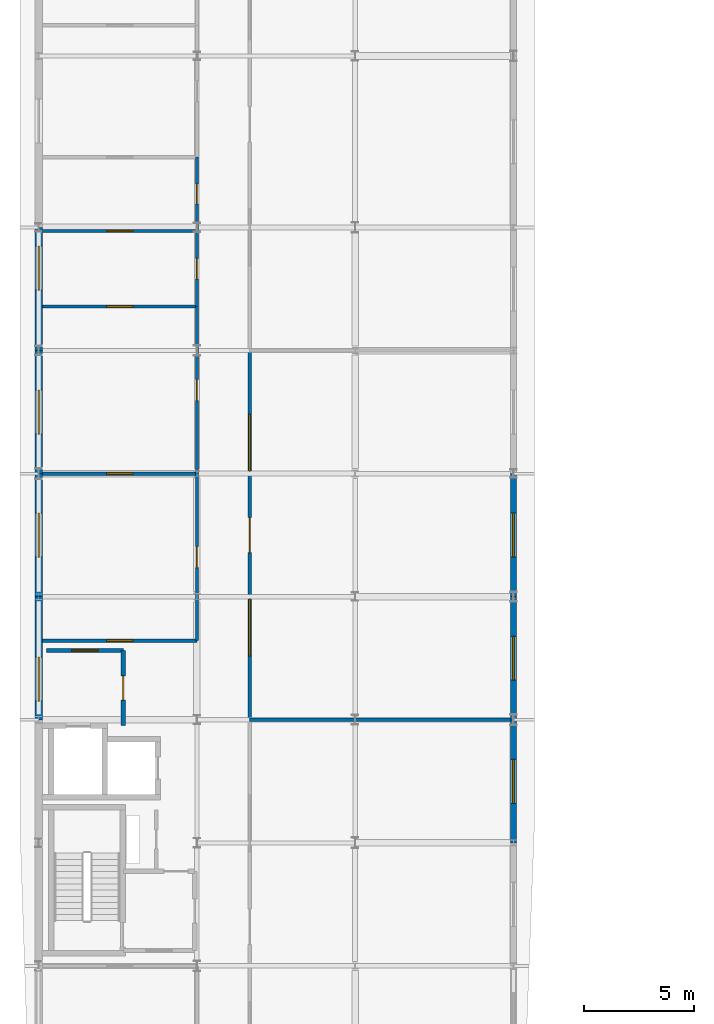
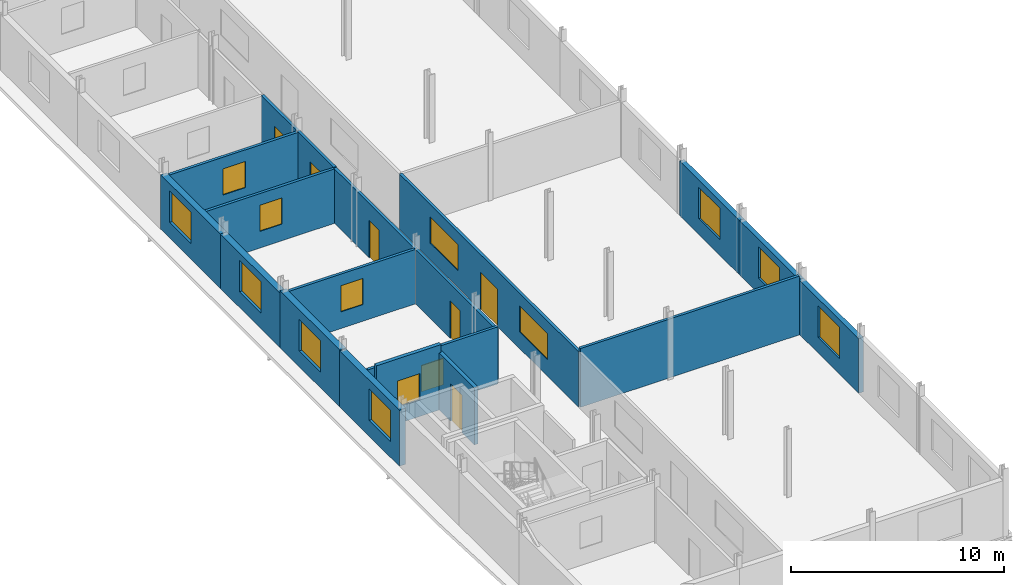
# One storey, part 12 of 17: 19 walls, 14 windows, 6 doors, 20 openings.
"""IFC4 building model written with IfcOpenShell, lengths in metres."""

from ifc_helpers import new_model, si_unit, direction, frame, frame_2d, origin, place, context, subcontext, project, spatial, rectangle, extrude, material, layer, layer_set, type_object, element, fill, save


model = new_model("IFC4")

# Units and contexts
model_context = context("Model", 3, precision=1e-05, world=origin(), true_north=direction((0.0, 1.0)))
body_context = subcontext(model_context, "Body", "Model", "MODEL_VIEW")
ifc_project = project(units=[si_unit("LENGTHUNIT", "METRE"), si_unit("AREAUNIT", "SQUARE_METRE"), si_unit("VOLUMEUNIT", "CUBIC_METRE"), si_unit("PLANEANGLEUNIT", "RADIAN"), si_unit("MASSUNIT", "GRAM", prefix="KILO")], contexts=[model_context])

# Site, building, storey
site_placement = place(None, origin())
site = spatial("IfcSite", under=ifc_project, at=site_placement, CompositionType="ELEMENT")
building_placement = place(site_placement, origin())
building = spatial("IfcBuilding", under=site, at=building_placement, Name="Vinh Khe Railworks Police Headquarters", CompositionType="ELEMENT")
storey_placement = place(building_placement, frame((0.0, 0.0, 24.89990234375)))
storey = spatial("IfcBuildingStorey", under=building, at=storey_placement, Name="L06", CompositionType="ELEMENT", Elevation=24.89990234375)

# Wall, opening, window
ifc_material_1 = material(Name="Clay brickwork", Category="masonry")
ifc_layer_1 = layer(ifc_material_1, 0.260009765625)
ifc_layer_set_1 = layer_set([ifc_layer_1], Name="Clay brickwork")
wall_type_1 = type_object("IfcWallType", Name="EW-BRK-260", PredefinedType="SOLIDWALL", material=ifc_layer_set_1)
wall_1_placement = place(storey_placement, frame((22.199951171875, 30.800048828125, 0.0), z_axis=(0.0, 0.0, 1.0), x_axis=(0.0, 1.0, 0.0)))
wall_1 = element("IfcWall", 1, at=wall_1_placement, inside=storey, type_object=wall_type_1, Name="Exterior Brick Wall EW-L06-V5E-03", PredefinedType="SOLIDWALL", context=body_context, shape_type="SweptSolid", body=[
    extrude(rectangle(XDim=5.599853515625, YDim=0.260009765625, at=frame_2d((2.7998046875, 0.0))), origin(), (0.0, 0.0, 1.0), 3.114990234375),
])
opening_1_placement = place(wall_1_placement, frame((1.800048828125, 0.0, 0.89990234375)))
opening_1 = element("IfcOpeningElement", 2, at=opening_1_placement, cuts=wall_1, Name="Opening WN-04", PredefinedType="OPENING", context=body_context, shape_type="SweptSolid", body=[
    extrude(rectangle(XDim=2.0, YDim=1.800048828125, at=frame_2d((1.0, 0.89990234375))), frame((0.0, 0.14501953125, 0.0), z_axis=(0.0, -1.0, 0.0), x_axis=(1.0, 0.0, 0.0)), (0.0, 0.0, 1.0), 0.289794921875),
])
ifc_material_2 = material(Name="Double-glazed solar-control glass in dark steel frame", Category="steel")
window_type_1 = type_object("IfcWindowType", Name="WIN-WN-04", PartitioningType="DOUBLE_PANEL_VERTICAL", PredefinedType="WINDOW", material=ifc_material_2)
window_1_placement = place(opening_1_placement, origin())
window_1 = element("IfcWindow", 3, at=window_1_placement, inside=storey, type_object=window_type_1, Name="Casement Window WN-04", OverallHeight=1.800048828125, OverallWidth=2.0, PartitioningType="SINGLE_PANEL", PredefinedType="WINDOW", context=body_context, shape_type="SweptSolid", body=[
    extrude(rectangle(XDim=2.0, YDim=1.800048828125, at=frame_2d((1.0, 0.89990234375))), frame((0.0, 0.030029296875, 0.0), z_axis=(0.0, -1.0, 0.0), x_axis=(1.0, 0.0, 0.0)), (0.0, 0.0, 1.0), 0.06005859375),
])
fill(opening_1, window_1)

wall_2_placement = place(storey_placement, frame((22.199951171875, 36.39990234375, 0.0), z_axis=(0.0, 0.0, 1.0), x_axis=(0.0, 1.0, 0.0)))
wall_2 = element("IfcWall", 4, at=wall_2_placement, inside=storey, type_object=wall_type_1, Name="Exterior Brick Wall EW-L06-V5E-04", PredefinedType="SOLIDWALL", context=body_context, shape_type="SweptSolid", body=[
    extrude(rectangle(XDim=5.60009765625, YDim=0.260009765625, at=frame_2d((2.800048828125, 0.0))), origin(), (0.0, 0.0, 1.0), 3.114990234375),
])
opening_2_placement = place(wall_2_placement, frame((1.800048828125, 0.0, 0.89990234375)))
opening_2 = element("IfcOpeningElement", 5, at=opening_2_placement, cuts=wall_2, Name="Opening WN-04", PredefinedType="OPENING", context=body_context, shape_type="SweptSolid", body=[
    extrude(rectangle(XDim=2.0, YDim=1.800048828125, at=frame_2d((1.0, 0.89990234375))), frame((0.0, 0.14501953125, 0.0), z_axis=(0.0, -1.0, 0.0), x_axis=(1.0, 0.0, 0.0)), (0.0, 0.0, 1.0), 0.289794921875),
])
window_2_placement = place(opening_2_placement, origin())
window_2 = element("IfcWindow", 6, at=window_2_placement, inside=storey, type_object=window_type_1, Name="Casement Window WN-04", OverallHeight=1.800048828125, OverallWidth=2.0, PartitioningType="SINGLE_PANEL", PredefinedType="WINDOW", context=body_context, shape_type="SweptSolid", body=[
    extrude(rectangle(XDim=2.0, YDim=1.800048828125, at=frame_2d((1.0, 0.89990234375))), frame((0.0, 0.030029296875, 0.0), z_axis=(0.0, -1.0, 0.0), x_axis=(1.0, 0.0, 0.0)), (0.0, 0.0, 1.0), 0.06005859375),
])
fill(opening_2, window_2)

wall_3_placement = place(storey_placement, frame((22.199951171875, 42.0, 0.0), z_axis=(0.0, 0.0, 1.0), x_axis=(0.0, 1.0, 0.0)))
wall_3 = element("IfcWall", 7, at=wall_3_placement, inside=storey, type_object=wall_type_1, Name="Exterior Brick Wall EW-L06-V5E-05", PredefinedType="SOLIDWALL", context=body_context, shape_type="SweptSolid", body=[
    extrude(rectangle(XDim=5.60009765625, YDim=0.260009765625, at=frame_2d((2.800048828125, 0.0))), origin(), (0.0, 0.0, 1.0), 3.114990234375),
])
opening_3_placement = place(wall_3_placement, frame((1.800048828125, 0.0, 0.89990234375)))
opening_3 = element("IfcOpeningElement", 8, at=opening_3_placement, cuts=wall_3, Name="Opening WN-04", PredefinedType="OPENING", context=body_context, shape_type="SweptSolid", body=[
    extrude(rectangle(XDim=2.0, YDim=1.800048828125, at=frame_2d((1.0, 0.89990234375))), frame((0.0, 0.14501953125, 0.0), z_axis=(0.0, -1.0, 0.0), x_axis=(1.0, 0.0, 0.0)), (0.0, 0.0, 1.0), 0.289794921875),
])
window_3_placement = place(opening_3_placement, origin())
window_3 = element("IfcWindow", 9, at=window_3_placement, inside=storey, type_object=window_type_1, Name="Casement Window WN-04", OverallHeight=1.800048828125, OverallWidth=2.0, PartitioningType="SINGLE_PANEL", PredefinedType="WINDOW", context=body_context, shape_type="SweptSolid", body=[
    extrude(rectangle(XDim=2.0, YDim=1.800048828125, at=frame_2d((1.0, 0.89990234375))), frame((0.0, 0.030029296875, 0.0), z_axis=(0.0, -1.0, 0.0), x_axis=(1.0, 0.0, 0.0)), (0.0, 0.0, 1.0), 0.06005859375),
])
fill(opening_3, window_3)

ifc_layer_2 = layer(ifc_material_1, 0.340087890625)
ifc_layer_set_2 = layer_set([ifc_layer_2], Name="Clay brickwork")
wall_type_2 = type_object("IfcWallType", Name="EW-BRK-340", PredefinedType="SOLIDWALL", material=ifc_layer_set_2)
wall_4_placement = place(storey_placement, frame((0.60009765625, 36.39990234375, 0.0), z_axis=(0.0, 0.0, 1.0), x_axis=(0.0, 1.0, 0.0)))
wall_4 = element("IfcWall", 10, at=wall_4_placement, inside=storey, type_object=wall_type_2, Name="Exterior Brick Wall EW-L06-V5W-04", PredefinedType="SOLIDWALL", context=body_context, shape_type="SweptSolid", body=[
    extrude(rectangle(XDim=5.60009765625, YDim=0.340087890625, at=frame_2d((2.800048828125, 0.0))), origin(), (0.0, 0.0, 1.0), 3.215087890625),
])
opening_4_placement = place(wall_4_placement, frame((0.85009765625, 0.0, 0.89990234375)))
opening_4 = element("IfcOpeningElement", 11, at=opening_4_placement, cuts=wall_4, Name="Opening WN-04", PredefinedType="OPENING", context=body_context, shape_type="SweptSolid", body=[
    extrude(rectangle(XDim=2.0, YDim=1.800048828125, at=frame_2d((1.0, 0.89990234375))), frame((0.0, 0.18505859375, 0.0), z_axis=(0.0, -1.0, 0.0), x_axis=(1.0, 0.0, 0.0)), (0.0, 0.0, 1.0), 0.369873046875),
])
window_4_placement = place(opening_4_placement, origin())
window_4 = element("IfcWindow", 12, at=window_4_placement, inside=storey, type_object=window_type_1, Name="Casement Window WN-04", OverallHeight=1.800048828125, OverallWidth=2.0, PartitioningType="SINGLE_PANEL", PredefinedType="WINDOW", context=body_context, shape_type="SweptSolid", body=[
    extrude(rectangle(XDim=2.0, YDim=1.800048828125, at=frame_2d((1.0, 0.89990234375))), frame((0.0, 0.030029296875, 0.0), z_axis=(0.0, -1.0, 0.0), x_axis=(1.0, 0.0, 0.0)), (0.0, 0.0, 1.0), 0.06005859375),
])
fill(opening_4, window_4)

wall_5_placement = place(storey_placement, frame((0.60009765625, 42.0, 0.0), z_axis=(0.0, 0.0, 1.0), x_axis=(0.0, 1.0, 0.0)))
wall_5 = element("IfcWall", 13, at=wall_5_placement, inside=storey, type_object=wall_type_2, Name="Exterior Brick Wall EW-L06-V5W-05", PredefinedType="SOLIDWALL", context=body_context, shape_type="SweptSolid", body=[
    extrude(rectangle(XDim=5.60009765625, YDim=0.340087890625, at=frame_2d((2.800048828125, 0.0))), origin(), (0.0, 0.0, 1.0), 3.26513671875),
])
opening_5_placement = place(wall_5_placement, frame((1.800048828125, 0.0, 0.89990234375)))
opening_5 = element("IfcOpeningElement", 14, at=opening_5_placement, cuts=wall_5, Name="Opening WN-04", PredefinedType="OPENING", context=body_context, shape_type="SweptSolid", body=[
    extrude(rectangle(XDim=2.0, YDim=1.800048828125, at=frame_2d((1.0, 0.89990234375))), frame((0.0, 0.18505859375, 0.0), z_axis=(0.0, -1.0, 0.0), x_axis=(1.0, 0.0, 0.0)), (0.0, 0.0, 1.0), 0.369873046875),
])
window_5_placement = place(opening_5_placement, origin())
window_5 = element("IfcWindow", 15, at=window_5_placement, inside=storey, type_object=window_type_1, Name="Casement Window WN-04", OverallHeight=1.800048828125, OverallWidth=2.0, PartitioningType="SINGLE_PANEL", PredefinedType="WINDOW", context=body_context, shape_type="SweptSolid", body=[
    extrude(rectangle(XDim=2.0, YDim=1.800048828125, at=frame_2d((1.0, 0.89990234375))), frame((0.0, 0.030029296875, 0.0), z_axis=(0.0, -1.0, 0.0), x_axis=(1.0, 0.0, 0.0)), (0.0, 0.0, 1.0), 0.06005859375),
])
fill(opening_5, window_5)

wall_6_placement = place(storey_placement, frame((0.60009765625, 47.60009765625, 0.0), z_axis=(0.0, 0.0, 1.0), x_axis=(0.0, 1.0, 0.0)))
wall_6 = element("IfcWall", 16, at=wall_6_placement, inside=storey, type_object=wall_type_2, Name="Exterior Brick Wall EW-L06-V5W-06", PredefinedType="SOLIDWALL", context=body_context, shape_type="SweptSolid", body=[
    extrude(rectangle(XDim=5.599853515625, YDim=0.340087890625, at=frame_2d((2.7998046875, 0.0))), origin(), (0.0, 0.0, 1.0), 3.114990234375),
])
opening_6_placement = place(wall_6_placement, frame((1.800048828125, 0.0, 0.89990234375)))
opening_6 = element("IfcOpeningElement", 17, at=opening_6_placement, cuts=wall_6, Name="Opening WN-04", PredefinedType="OPENING", context=body_context, shape_type="SweptSolid", body=[
    extrude(rectangle(XDim=2.0, YDim=1.800048828125, at=frame_2d((1.0, 0.89990234375))), frame((0.0, 0.18505859375, 0.0), z_axis=(0.0, -1.0, 0.0), x_axis=(1.0, 0.0, 0.0)), (0.0, 0.0, 1.0), 0.369873046875),
])
window_6_placement = place(opening_6_placement, origin())
window_6 = element("IfcWindow", 18, at=window_6_placement, inside=storey, type_object=window_type_1, Name="Casement Window WN-04", OverallHeight=1.800048828125, OverallWidth=2.0, PartitioningType="SINGLE_PANEL", PredefinedType="WINDOW", context=body_context, shape_type="SweptSolid", body=[
    extrude(rectangle(XDim=2.0, YDim=1.800048828125, at=frame_2d((1.0, 0.89990234375))), frame((0.0, 0.030029296875, 0.0), z_axis=(0.0, -1.0, 0.0), x_axis=(1.0, 0.0, 0.0)), (0.0, 0.0, 1.0), 0.06005859375),
])
fill(opening_6, window_6)

wall_7_placement = place(storey_placement, frame((0.60009765625, 53.199951171875, 0.0), z_axis=(0.0, 0.0, 1.0), x_axis=(0.0, 1.0, 0.0)))
wall_7 = element("IfcWall", 19, at=wall_7_placement, inside=storey, type_object=wall_type_2, Name="Exterior Brick Wall EW-L06-V5W-07", PredefinedType="SOLIDWALL", context=body_context, shape_type="SweptSolid", body=[
    extrude(rectangle(XDim=5.60009765625, YDim=0.340087890625, at=frame_2d((2.800048828125, 0.0))), origin(), (0.0, 0.0, 1.0), 3.114990234375),
])
opening_7_placement = place(wall_7_placement, frame((2.75, 0.0, 0.89990234375)))
opening_7 = element("IfcOpeningElement", 20, at=opening_7_placement, cuts=wall_7, Name="Opening WN-04", PredefinedType="OPENING", context=body_context, shape_type="SweptSolid", body=[
    extrude(rectangle(XDim=2.0, YDim=1.800048828125, at=frame_2d((1.0, 0.89990234375))), frame((0.0, 0.18505859375, 0.0), z_axis=(0.0, -1.0, 0.0), x_axis=(1.0, 0.0, 0.0)), (0.0, 0.0, 1.0), 0.369873046875),
])
window_7_placement = place(opening_7_placement, origin())
window_7 = element("IfcWindow", 21, at=window_7_placement, inside=storey, type_object=window_type_1, Name="Casement Window WN-04", OverallHeight=1.800048828125, OverallWidth=2.0, PartitioningType="SINGLE_PANEL", PredefinedType="WINDOW", context=body_context, shape_type="SweptSolid", body=[
    extrude(rectangle(XDim=2.0, YDim=1.800048828125, at=frame_2d((1.0, 0.89990234375))), frame((0.0, 0.030029296875, 0.0), z_axis=(0.0, -1.0, 0.0), x_axis=(1.0, 0.0, 0.0)), (0.0, 0.0, 1.0), 0.06005859375),
])
fill(opening_7, window_7)

ifc_material_3 = material(Name="Autoclaved aerated concrete blockwork", Category="masonry")
ifc_layer_3 = layer(ifc_material_3, 0.199951171875)
ifc_layer_set_3 = layer_set([ifc_layer_3], Name="Autoclaved aerated concrete blockwork")
wall_type_3 = type_object("IfcWallType", Name="IW-BLK-200", PredefinedType="PARTITIONING", material=ifc_layer_set_3)
wall_8_placement = place(storey_placement, frame((0.949951171875, 39.550048828125, 0.0), z_axis=(0.0, 0.0, 1.0), x_axis=(1.0, 0.0, 0.0)))
wall_8 = element("IfcWall", 22, at=wall_8_placement, inside=storey, type_object=wall_type_3, Name="Interior Partition W-FFL-C1-N-L06", PredefinedType="PARTITIONING", context=body_context, shape_type="SweptSolid", body=[
    extrude(rectangle(XDim=3.5, YDim=0.199951171875, at=frame_2d((1.75, 0.0))), origin(), (0.0, 0.0, 1.0), 3.715087890625),
])
opening_8_placement = place(wall_8_placement, frame((1.14990234375, 0.0, 0.949951171875)))
opening_8 = element("IfcOpeningElement", 23, at=opening_8_placement, cuts=wall_8, Name="Opening WN-10", PredefinedType="OPENING", context=body_context, shape_type="SweptSolid", body=[
    extrude(rectangle(XDim=1.199951171875, YDim=1.5, at=frame_2d((0.60009765625, 0.75))), frame((0.0, 0.11474609375, 0.0), z_axis=(0.0, -1.0, 0.0), x_axis=(1.0, 0.0, 0.0)), (0.0, 0.0, 1.0), 0.229736328125),
])
window_type_2 = type_object("IfcWindowType", Name="WIN-WN-10", PartitioningType="SINGLE_PANEL", PredefinedType="WINDOW", material=ifc_material_2)
window_8_placement = place(opening_8_placement, origin())
window_8 = element("IfcWindow", 24, at=window_8_placement, inside=storey, type_object=window_type_2, Name="Interior Acoustic Vision Window WN-10", OverallHeight=1.5, OverallWidth=1.199951171875, PartitioningType="SINGLE_PANEL", PredefinedType="WINDOW", context=body_context, shape_type="SweptSolid", body=[
    extrude(rectangle(XDim=1.199951171875, YDim=1.5, at=frame_2d((0.60009765625, 0.75))), frame((0.0, 0.030029296875, 0.0), z_axis=(0.0, -1.0, 0.0), x_axis=(1.0, 0.0, 0.0)), (0.0, 0.0, 1.0), 0.06005859375),
])
fill(opening_8, window_8)

# Wall, opening, door
wall_9_placement = place(storey_placement, frame((4.449951171875, 36.14990234375, 0.0), z_axis=(0.0, 0.0, 1.0), x_axis=(0.0, 1.0, 0.0)))
wall_9 = element("IfcWall", 25, at=wall_9_placement, inside=storey, type_object=wall_type_3, Name="Interior Partition W-FFL-C1-E-L06", PredefinedType="PARTITIONING", context=body_context, shape_type="SweptSolid", body=[
    extrude(rectangle(XDim=3.400146484375, YDim=0.199951171875, at=frame_2d((1.7001953125, 0.0))), origin(), (0.0, 0.0, 1.0), 3.26513671875),
])
opening_9_placement = place(wall_9_placement, frame((1.14990234375, 0.0, 0.0)))
opening_9 = element("IfcOpeningElement", 26, at=opening_9_placement, cuts=wall_9, Name="Opening FD-01", PredefinedType="OPENING", context=body_context, shape_type="SweptSolid", body=[
    extrude(rectangle(XDim=1.10009765625, YDim=2.14990234375, at=frame_2d((0.550048828125, 1.074951171875))), frame((0.0, 0.11474609375, 0.0), z_axis=(0.0, -1.0, 0.0), x_axis=(1.0, 0.0, 0.0)), (0.0, 0.0, 1.0), 0.229736328125),
])
ifc_material_4 = material(Name="Painted galvanised steel", Category="steel")
door_type_1 = type_object("IfcDoorType", Name="FD-1100x2150", OperationType="NOTDEFINED", PredefinedType="DOOR", material=ifc_material_4)
door_1_placement = place(opening_9_placement, origin())
door_1 = element("IfcDoor", 27, at=door_1_placement, inside=storey, type_object=door_type_1, Name="Firefighting Lobby Exit Door", OperationType="SINGLE_SWING_RIGHT", OverallHeight=2.14990234375, OverallWidth=1.10009765625, PredefinedType="DOOR", context=body_context, shape_type="SweptSolid", body=[
    extrude(rectangle(XDim=1.10009765625, YDim=2.14990234375, at=frame_2d((0.550048828125, 1.074951171875))), frame((0.0, 0.02490234375, 0.0), z_axis=(0.0, -1.0, 0.0), x_axis=(1.0, 0.0, 0.0)), (0.0, 0.0, 1.0), 0.050048828125),
])
fill(opening_9, door_1)

# Wall, opening, window
ifc_material_5 = material(Name="Gypsum plasterboard on steel stud", Category="steel")
ifc_layer_4 = layer(ifc_material_5, 0.1201171875)
ifc_layer_set_4 = layer_set([ifc_layer_4], Name="Gypsum plasterboard on steel stud")
wall_type_4 = type_object("IfcWallType", Name="IW-PART-120", PredefinedType="PARTITIONING", material=ifc_layer_set_4)
wall_10_placement = place(storey_placement, frame((0.780029296875, 40.0, 0.0), z_axis=(0.0, 0.0, 1.0), x_axis=(1.0, 0.0, 0.0)))
wall_10 = element("IfcWall", 28, at=wall_10_placement, inside=storey, type_object=wall_type_4, Name="Interior Partition W-L06-V5-BUNK1-DIV", PredefinedType="PARTITIONING", context=body_context, shape_type="SweptSolid", body=[
    extrude(rectangle(XDim=7.02001953125, YDim=0.14990234375, at=frame_2d((3.510009765625, 0.0))), origin(), (0.0, 0.0, 1.0), 3.26513671875),
])
opening_10_placement = place(wall_10_placement, frame((2.909912109375, 0.0, 0.949951171875)))
opening_10 = element("IfcOpeningElement", 29, at=opening_10_placement, cuts=wall_10, Name="Opening WN-10", PredefinedType="OPENING", context=body_context, shape_type="SweptSolid", body=[
    extrude(rectangle(XDim=1.199951171875, YDim=1.5, at=frame_2d((0.60009765625, 0.75))), frame((0.0, 0.08984375, 0.0), z_axis=(0.0, -1.0, 0.0), x_axis=(1.0, 0.0, 0.0)), (0.0, 0.0, 1.0), 0.1796875),
])
window_9_placement = place(opening_10_placement, origin())
window_9 = element("IfcWindow", 30, at=window_9_placement, inside=storey, type_object=window_type_2, Name="Interior Acoustic Vision Window WN-10", OverallHeight=1.5, OverallWidth=1.199951171875, PartitioningType="SINGLE_PANEL", PredefinedType="WINDOW", context=body_context, shape_type="SweptSolid", body=[
    extrude(rectangle(XDim=1.199951171875, YDim=1.5, at=frame_2d((0.60009765625, 0.75))), frame((0.0, 0.030029296875, 0.0), z_axis=(0.0, -1.0, 0.0), x_axis=(1.0, 0.0, 0.0)), (0.0, 0.0, 1.0), 0.06005859375),
])
fill(opening_10, window_9)

wall_11_placement = place(storey_placement, frame((0.780029296875, 47.60009765625, 0.0), z_axis=(0.0, 0.0, 1.0), x_axis=(1.0, 0.0, 0.0)))
wall_11 = element("IfcWall", 31, at=wall_11_placement, inside=storey, type_object=wall_type_4, Name="Interior Partition W-L06-V5-BUNK2-DIV", PredefinedType="PARTITIONING", context=body_context, shape_type="SweptSolid", body=[
    extrude(rectangle(XDim=7.02001953125, YDim=0.14990234375, at=frame_2d((3.510009765625, 0.0))), origin(), (0.0, 0.0, 1.0), 3.114990234375),
])
opening_11_placement = place(wall_11_placement, frame((2.909912109375, 0.0, 0.949951171875)))
opening_11 = element("IfcOpeningElement", 32, at=opening_11_placement, cuts=wall_11, Name="Opening WN-10", PredefinedType="OPENING", context=body_context, shape_type="SweptSolid", body=[
    extrude(rectangle(XDim=1.199951171875, YDim=1.5, at=frame_2d((0.60009765625, 0.75))), frame((0.0, 0.08984375, 0.0), z_axis=(0.0, -1.0, 0.0), x_axis=(1.0, 0.0, 0.0)), (0.0, 0.0, 1.0), 0.1796875),
])
window_10_placement = place(opening_11_placement, origin())
window_10 = element("IfcWindow", 33, at=window_10_placement, inside=storey, type_object=window_type_2, Name="Interior Acoustic Vision Window WN-10", OverallHeight=1.5, OverallWidth=1.199951171875, PartitioningType="SINGLE_PANEL", PredefinedType="WINDOW", context=body_context, shape_type="SweptSolid", body=[
    extrude(rectangle(XDim=1.199951171875, YDim=1.5, at=frame_2d((0.60009765625, 0.75))), frame((0.0, 0.030029296875, 0.0), z_axis=(0.0, -1.0, 0.0), x_axis=(1.0, 0.0, 0.0)), (0.0, 0.0, 1.0), 0.06005859375),
])
fill(opening_11, window_10)

wall_12_placement = place(storey_placement, frame((0.780029296875, 58.64208984375, 0.0), z_axis=(0.0, 0.0, 1.0), x_axis=(1.0, 0.0, 0.0)))
wall_12 = element("IfcWall", 34, at=wall_12_placement, inside=storey, type_object=wall_type_4, Name="Interior Partition W-L06-V5-DSHWS-DIV", PredefinedType="PARTITIONING", context=body_context, shape_type="SweptSolid", body=[
    extrude(rectangle(XDim=7.02001953125, YDim=0.14990234375, at=frame_2d((3.510009765625, 0.0))), origin(), (0.0, 0.0, 1.0), 3.114990234375),
])
opening_12_placement = place(wall_12_placement, frame((2.909912109375, 0.0, 0.949951171875)))
opening_12 = element("IfcOpeningElement", 35, at=opening_12_placement, cuts=wall_12, Name="Opening WN-10", PredefinedType="OPENING", context=body_context, shape_type="SweptSolid", body=[
    extrude(rectangle(XDim=1.199951171875, YDim=1.5, at=frame_2d((0.60009765625, 0.75))), frame((0.0, 0.08984375, 0.0), z_axis=(0.0, -1.0, 0.0), x_axis=(1.0, 0.0, 0.0)), (0.0, 0.0, 1.0), 0.1796875),
])
window_11_placement = place(opening_12_placement, origin())
window_11 = element("IfcWindow", 36, at=window_11_placement, inside=storey, type_object=window_type_2, Name="Interior Acoustic Vision Window WN-10", OverallHeight=1.5, OverallWidth=1.199951171875, PartitioningType="SINGLE_PANEL", PredefinedType="WINDOW", context=body_context, shape_type="SweptSolid", body=[
    extrude(rectangle(XDim=1.199951171875, YDim=1.5, at=frame_2d((0.60009765625, 0.75))), frame((0.0, 0.030029296875, 0.0), z_axis=(0.0, -1.0, 0.0), x_axis=(1.0, 0.0, 0.0)), (0.0, 0.0, 1.0), 0.06005859375),
])
fill(opening_12, window_11)

wall_13_placement = place(storey_placement, frame((0.780029296875, 55.199951171875, 0.0), z_axis=(0.0, 0.0, 1.0), x_axis=(1.0, 0.0, 0.0)))
wall_13 = element("IfcWall", 37, at=wall_13_placement, inside=storey, type_object=wall_type_4, Name="Interior Partition W-L06-V5-DSHW-DIV", PredefinedType="PARTITIONING", context=body_context, shape_type="SweptSolid", body=[
    extrude(rectangle(XDim=7.02001953125, YDim=0.14990234375, at=frame_2d((3.510009765625, 0.0))), origin(), (0.0, 0.0, 1.0), 3.114990234375),
])
opening_13_placement = place(wall_13_placement, frame((2.909912109375, 0.0, 0.949951171875)))
opening_13 = element("IfcOpeningElement", 38, at=opening_13_placement, cuts=wall_13, Name="Opening WN-10", PredefinedType="OPENING", context=body_context, shape_type="SweptSolid", body=[
    extrude(rectangle(XDim=1.199951171875, YDim=1.5, at=frame_2d((0.60009765625, 0.75))), frame((0.0, 0.08984375, 0.0), z_axis=(0.0, -1.0, 0.0), x_axis=(1.0, 0.0, 0.0)), (0.0, 0.0, 1.0), 0.1796875),
])
window_12_placement = place(opening_13_placement, origin())
window_12 = element("IfcWindow", 39, at=window_12_placement, inside=storey, type_object=window_type_2, Name="Interior Acoustic Vision Window WN-10", OverallHeight=1.5, OverallWidth=1.199951171875, PartitioningType="SINGLE_PANEL", PredefinedType="WINDOW", context=body_context, shape_type="SweptSolid", body=[
    extrude(rectangle(XDim=1.199951171875, YDim=1.5, at=frame_2d((0.60009765625, 0.75))), frame((0.0, 0.030029296875, 0.0), z_axis=(0.0, -1.0, 0.0), x_axis=(1.0, 0.0, 0.0)), (0.0, 0.0, 1.0), 0.06005859375),
])
fill(opening_13, window_12)

# Wall
wall_14_placement = place(storey_placement, frame((10.199951171875, 36.39990234375, 0.0), z_axis=(0.0, 0.0, 1.0), x_axis=(1.0, 0.0, 0.0)))
element("IfcWall", 40, at=wall_14_placement, inside=storey, type_object=wall_type_4, Name="Interior Partition W-L06-V5-NARC2-DIV", PredefinedType="PARTITIONING", context=body_context, shape_type="SweptSolid", body=[
    extrude(rectangle(XDim=11.860107421875, YDim=0.14990234375, at=frame_2d((5.93017578125, 0.0))), origin(), (0.0, 0.0, 1.0), 3.364990234375),
])

# Wall, opening, door
ifc_material_6 = material(Name="Gypsum plasterboard on acoustic steel stud", Category="steel")
ifc_layer_5 = layer(ifc_material_6, 0.14990234375)
ifc_layer_set_5 = layer_set([ifc_layer_5], Name="Gypsum plasterboard on acoustic steel stud")
wall_type_5 = type_object("IfcWallType", Name="IW-PART-150", PredefinedType="PARTITIONING", material=ifc_layer_set_5)
wall_15_placement = place(storey_placement, frame((7.800048828125, 40.0, 0.0), z_axis=(0.0, 0.0, 1.0), x_axis=(0.0, 1.0, 0.0)))
wall_15 = element("IfcWall", 41, at=wall_15_placement, inside=storey, type_object=wall_type_5, Name="Interior Partition W-L06-V5-BUNK1-CW", PredefinedType="PARTITIONING", context=body_context, shape_type="SweptSolid", body=[
    extrude(rectangle(XDim=7.60009765625, YDim=0.14990234375, at=frame_2d((3.800048828125, 0.0))), origin(), (0.0, 0.0, 1.0), 3.114990234375),
])
opening_14_placement = place(wall_15_placement, frame((3.324951171875, 0.0, 0.0)))
opening_14 = element("IfcOpeningElement", 42, at=opening_14_placement, cuts=wall_15, Name="Opening D-01", PredefinedType="OPENING", context=body_context, shape_type="SweptSolid", body=[
    extrude(rectangle(XDim=0.949951171875, YDim=2.14990234375, at=frame_2d((0.47509765625, 1.074951171875))), frame((0.0, 0.08984375, 0.0), z_axis=(0.0, -1.0, 0.0), x_axis=(1.0, 0.0, 0.0)), (0.0, 0.0, 1.0), 0.1796875),
])
ifc_material_7 = material(Name="Seasoned hardwood timber", Category="wood")
door_type_2 = type_object("IfcDoorType", Name="ID-950x2150", OperationType="NOTDEFINED", PredefinedType="DOOR", material=ifc_material_7)
door_2_placement = place(opening_14_placement, origin())
door_2 = element("IfcDoor", 43, at=door_2_placement, inside=storey, type_object=door_type_2, Name="On-Call Duty Bunk Room 01 Door", OperationType="SINGLE_SWING_RIGHT", OverallHeight=2.14990234375, OverallWidth=0.949951171875, PredefinedType="DOOR", context=body_context, shape_type="SweptSolid", body=[
    extrude(rectangle(XDim=0.949951171875, YDim=2.14990234375, at=frame_2d((0.47509765625, 1.074951171875))), frame((0.0, 0.02490234375, 0.0), z_axis=(0.0, -1.0, 0.0), x_axis=(1.0, 0.0, 0.0)), (0.0, 0.0, 1.0), 0.050048828125),
])
fill(opening_14, door_2)

wall_16_placement = place(storey_placement, frame((7.800048828125, 47.60009765625, 0.0), z_axis=(0.0, 0.0, 1.0), x_axis=(0.0, 1.0, 0.0)))
wall_16 = element("IfcWall", 44, at=wall_16_placement, inside=storey, type_object=wall_type_5, Name="Interior Partition W-L06-V5-BUNK2-CW", PredefinedType="PARTITIONING", context=body_context, shape_type="SweptSolid", body=[
    extrude(rectangle(XDim=7.599853515625, YDim=0.14990234375, at=frame_2d((3.7998046875, 0.0))), origin(), (0.0, 0.0, 1.0), 3.114990234375),
])
opening_15_placement = place(wall_16_placement, frame((3.324951171875, 0.0, 0.0)))
opening_15 = element("IfcOpeningElement", 45, at=opening_15_placement, cuts=wall_16, Name="Opening D-01", PredefinedType="OPENING", context=body_context, shape_type="SweptSolid", body=[
    extrude(rectangle(XDim=0.949951171875, YDim=2.14990234375, at=frame_2d((0.47509765625, 1.074951171875))), frame((0.0, 0.08984375, 0.0), z_axis=(0.0, -1.0, 0.0), x_axis=(1.0, 0.0, 0.0)), (0.0, 0.0, 1.0), 0.1796875),
])
door_3_placement = place(opening_15_placement, origin())
door_3 = element("IfcDoor", 46, at=door_3_placement, inside=storey, type_object=door_type_2, Name="On-Call Duty Bunk Room 02 Door", OperationType="SINGLE_SWING_LEFT", OverallHeight=2.14990234375, OverallWidth=0.949951171875, PredefinedType="DOOR", context=body_context, shape_type="SweptSolid", body=[
    extrude(rectangle(XDim=0.949951171875, YDim=2.14990234375, at=frame_2d((0.47509765625, 1.074951171875))), frame((0.0, 0.02490234375, 0.0), z_axis=(0.0, -1.0, 0.0), x_axis=(1.0, 0.0, 0.0)), (0.0, 0.0, 1.0), 0.050048828125),
])
fill(opening_15, door_3)

wall_17_placement = place(storey_placement, frame((7.800048828125, 55.199951171875, 0.0), z_axis=(0.0, 0.0, 1.0), x_axis=(0.0, 1.0, 0.0)))
wall_17 = element("IfcWall", 47, at=wall_17_placement, inside=storey, type_object=wall_type_5, Name="Interior Partition W-L06-V5-DSHWS-CW", PredefinedType="PARTITIONING", context=body_context, shape_type="SweptSolid", body=[
    extrude(rectangle(XDim=3.442138671875, YDim=0.14990234375, at=frame_2d((1.72119140625, 0.0))), origin(), (0.0, 0.0, 1.0), 3.1650390625),
])
opening_16_placement = place(wall_17_placement, frame((1.24609375, 0.0, 0.0)))
opening_16 = element("IfcOpeningElement", 48, at=opening_16_placement, cuts=wall_17, Name="Opening D-01", PredefinedType="OPENING", context=body_context, shape_type="SweptSolid", body=[
    extrude(rectangle(XDim=0.949951171875, YDim=2.14990234375, at=frame_2d((0.47509765625, 1.074951171875))), frame((0.0, 0.08984375, 0.0), z_axis=(0.0, -1.0, 0.0), x_axis=(1.0, 0.0, 0.0)), (0.0, 0.0, 1.0), 0.1796875),
])
door_4_placement = place(opening_16_placement, origin())
door_4 = element("IfcDoor", 49, at=door_4_placement, inside=storey, type_object=door_type_2, Name="Floor Supplies Store Door", OperationType="SINGLE_SWING_RIGHT", OverallHeight=2.14990234375, OverallWidth=0.949951171875, PredefinedType="DOOR", context=body_context, shape_type="SweptSolid", body=[
    extrude(rectangle(XDim=0.949951171875, YDim=2.14990234375, at=frame_2d((0.47509765625, 1.074951171875))), frame((0.0, 0.02490234375, 0.0), z_axis=(0.0, -1.0, 0.0), x_axis=(1.0, 0.0, 0.0)), (0.0, 0.0, 1.0), 0.050048828125),
])
fill(opening_16, door_4)

wall_18_placement = place(storey_placement, frame((7.800048828125, 58.64208984375, 0.0), z_axis=(0.0, 0.0, 1.0), x_axis=(0.0, 1.0, 0.0)))
wall_18 = element("IfcWall", 50, at=wall_18_placement, inside=storey, type_object=wall_type_5, Name="Interior Partition W-L06-V5-DSHW-CW", PredefinedType="PARTITIONING", context=body_context, shape_type="SweptSolid", body=[
    extrude(rectangle(XDim=3.35791015625, YDim=0.14990234375, at=frame_2d((1.678955078125, 0.0))), origin(), (0.0, 0.0, 1.0), 3.1650390625),
])
opening_17_placement = place(wall_18_placement, frame((1.22900390625, 0.0, 0.0)))
opening_17 = element("IfcOpeningElement", 51, at=opening_17_placement, cuts=wall_18, Name="Opening D-04", PredefinedType="OPENING", context=body_context, shape_type="SweptSolid", body=[
    extrude(rectangle(XDim=0.89990234375, YDim=2.14990234375, at=frame_2d((0.449951171875, 1.074951171875))), frame((0.0, 0.08984375, 0.0), z_axis=(0.0, -1.0, 0.0), x_axis=(1.0, 0.0, 0.0)), (0.0, 0.0, 1.0), 0.1796875),
])
door_type_3 = type_object("IfcDoorType", Name="ID-900x2150", OperationType="NOTDEFINED", PredefinedType="DOOR", material=ifc_material_7)
door_5_placement = place(opening_17_placement, origin())
door_5 = element("IfcDoor", 52, at=door_5_placement, inside=storey, type_object=door_type_3, Name="Duty Shower and Changing WC Door", OperationType="SINGLE_SWING_LEFT", OverallHeight=2.14990234375, OverallWidth=0.89990234375, PredefinedType="DOOR", context=body_context, shape_type="SweptSolid", body=[
    extrude(rectangle(XDim=0.89990234375, YDim=2.14990234375, at=frame_2d((0.449951171875, 1.074951171875))), frame((0.0, 0.02490234375, 0.0), z_axis=(0.0, -1.0, 0.0), x_axis=(1.0, 0.0, 0.0)), (0.0, 0.0, 1.0), 0.050048828125),
])
fill(opening_17, door_5)

# Wall, openings, door, windows
wall_19_placement = place(storey_placement, frame((10.199951171875, 36.39990234375, 0.0), z_axis=(0.0, 0.0, 1.0), x_axis=(0.0, 1.0, 0.0)))
wall_19 = element("IfcWall", 53, at=wall_19_placement, inside=storey, type_object=wall_type_5, Name="Interior Partition W-L06-V5-NARC2-CE", PredefinedType="PARTITIONING", context=body_context, shape_type="SweptSolid", body=[
    extrude(rectangle(XDim=16.800048828125, YDim=0.14990234375, at=frame_2d((8.39990234375, 0.0))), origin(), (0.0, 0.0, 1.0), 3.1650390625),
])
opening_18_placement = place(wall_19_placement, frame((7.60009765625, 0.0, 0.0)))
opening_18 = element("IfcOpeningElement", 54, at=opening_18_placement, cuts=wall_19, Name="Opening D-03", PredefinedType="OPENING", context=body_context, shape_type="SweptSolid", body=[
    extrude(rectangle(XDim=1.60009765625, YDim=2.14990234375, at=frame_2d((0.800048828125, 1.074951171875))), frame((0.0, 0.08984375, 0.0), z_axis=(0.0, -1.0, 0.0), x_axis=(1.0, 0.0, 0.0)), (0.0, 0.0, 1.0), 0.1796875),
])
opening_19_placement = place(wall_19_placement, frame((2.89990234375, 0.0, 0.949951171875)))
opening_19 = element("IfcOpeningElement", 55, at=opening_19_placement, cuts=wall_19, Name="Opening WN-07", PredefinedType="OPENING", context=body_context, shape_type="SweptSolid", body=[
    extrude(rectangle(XDim=2.60009765625, YDim=1.5, at=frame_2d((1.300048828125, 0.75))), frame((0.0, 0.08984375, 0.0), z_axis=(0.0, -1.0, 0.0), x_axis=(1.0, 0.0, 0.0)), (0.0, 0.0, 1.0), 0.1796875),
])
opening_20_placement = place(wall_19_placement, frame((11.300048828125, 0.0, 0.949951171875)))
opening_20 = element("IfcOpeningElement", 56, at=opening_20_placement, cuts=wall_19, Name="Opening WN-07", PredefinedType="OPENING", context=body_context, shape_type="SweptSolid", body=[
    extrude(rectangle(XDim=2.60009765625, YDim=1.5, at=frame_2d((1.300048828125, 0.75))), frame((0.0, 0.08984375, 0.0), z_axis=(0.0, -1.0, 0.0), x_axis=(1.0, 0.0, 0.0)), (0.0, 0.0, 1.0), 0.1796875),
])
door_type_4 = type_object("IfcDoorType", Name="ID-1600x2150", OperationType="DOUBLE_DOOR_SINGLE_SWING", PredefinedType="DOOR", material=ifc_material_4)
door_6_placement = place(opening_18_placement, origin())
door_6 = element("IfcDoor", 57, at=door_6_placement, inside=storey, type_object=door_type_4, Name="Counter-Narcotics Investigation Suite B Door", OperationType="DOUBLE_DOOR_SINGLE_SWING", OverallHeight=2.14990234375, OverallWidth=1.60009765625, PredefinedType="DOOR", context=body_context, shape_type="SweptSolid", body=[
    extrude(rectangle(XDim=1.60009765625, YDim=2.14990234375, at=frame_2d((0.800048828125, 1.074951171875))), frame((0.0, 0.02490234375, 0.0), z_axis=(0.0, -1.0, 0.0), x_axis=(1.0, 0.0, 0.0)), (0.0, 0.0, 1.0), 0.050048828125),
])
fill(opening_18, door_6)
window_type_3 = type_object("IfcWindowType", Name="WIN-WN-07", PartitioningType="DOUBLE_PANEL_HORIZONTAL", PredefinedType="WINDOW", material=ifc_material_2)
window_13_placement = place(opening_19_placement, origin())
window_13 = element("IfcWindow", 58, at=window_13_placement, inside=storey, type_object=window_type_3, Name="Interior Acoustic Vision Window WN-07", OverallHeight=1.5, OverallWidth=2.60009765625, PartitioningType="SINGLE_PANEL", PredefinedType="WINDOW", context=body_context, shape_type="SweptSolid", body=[
    extrude(rectangle(XDim=2.60009765625, YDim=1.5, at=frame_2d((1.300048828125, 0.75))), frame((0.0, 0.030029296875, 0.0), z_axis=(0.0, -1.0, 0.0), x_axis=(1.0, 0.0, 0.0)), (0.0, 0.0, 1.0), 0.06005859375),
])
fill(opening_19, window_13)
window_14_placement = place(opening_20_placement, origin())
window_14 = element("IfcWindow", 59, at=window_14_placement, inside=storey, type_object=window_type_3, Name="Interior Acoustic Vision Window WN-07", OverallHeight=1.5, OverallWidth=2.60009765625, PartitioningType="SINGLE_PANEL", PredefinedType="WINDOW", context=body_context, shape_type="SweptSolid", body=[
    extrude(rectangle(XDim=2.60009765625, YDim=1.5, at=frame_2d((1.300048828125, 0.75))), frame((0.0, 0.030029296875, 0.0), z_axis=(0.0, -1.0, 0.0), x_axis=(1.0, 0.0, 0.0)), (0.0, 0.0, 1.0), 0.06005859375),
])
fill(opening_20, window_14)

save(model, "model.ifc")
